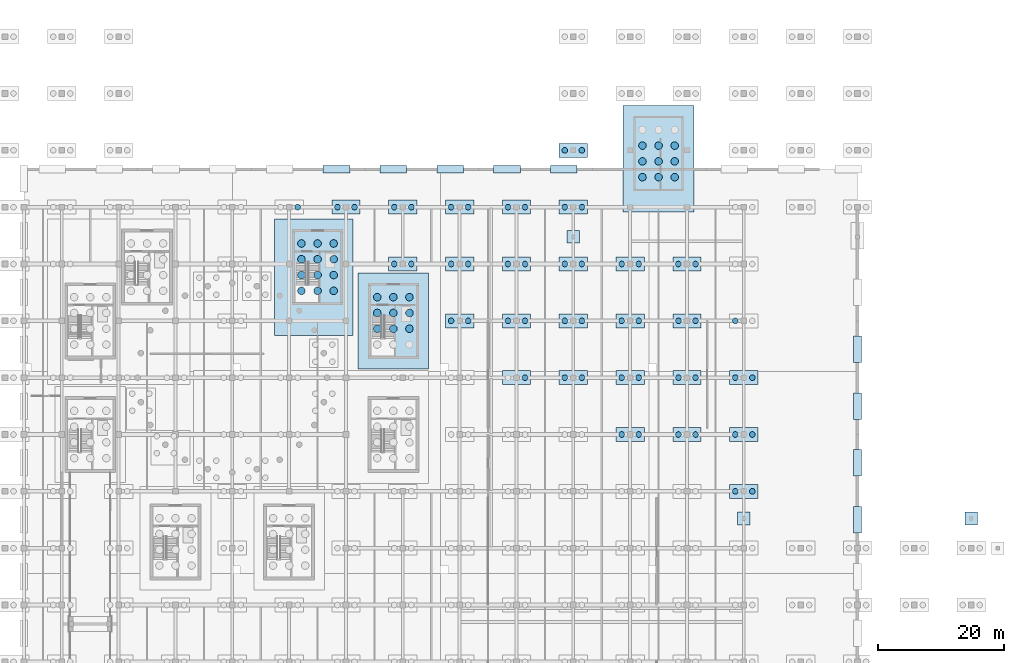
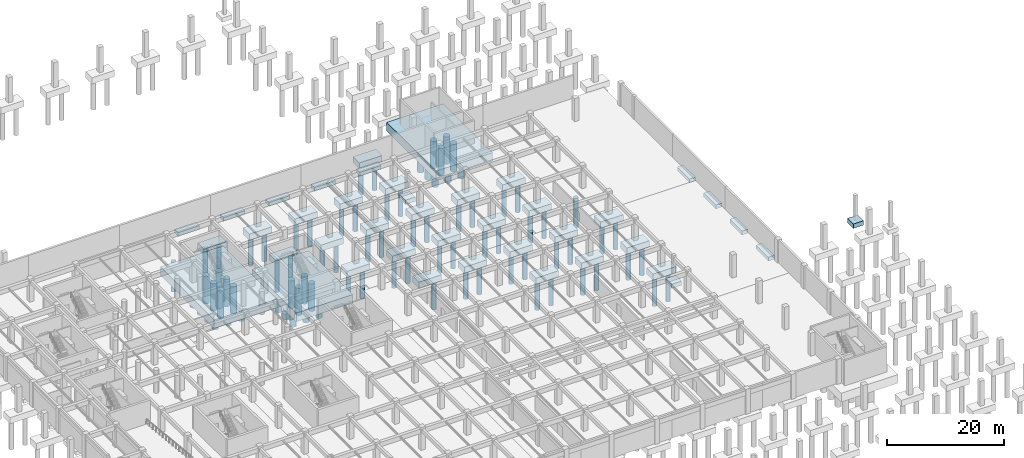
# One storey, part 7 of 27: 83 piles, 41 footings.
"""IFC4 building model written with IfcOpenShell, lengths in metres."""

from ifc_helpers import new_model, si_unit, direction, frame, origin, origin_2d, place, context, subcontext, project, spatial, polyline, circle, outline, extrude, material, layer, layer_set, material_profile, profile_set, type_object, element, save


model = new_model("IFC4")

# Units and contexts
model_context = context("Model", 3, precision=1e-05, world=origin(), true_north=direction((0.0, 1.0)))
body_context = subcontext(model_context, "Body", "Model", "MODEL_VIEW")
ifc_project = project(units=[si_unit("LENGTHUNIT", "METRE"), si_unit("AREAUNIT", "SQUARE_METRE"), si_unit("VOLUMEUNIT", "CUBIC_METRE"), si_unit("PLANEANGLEUNIT", "RADIAN"), si_unit("MASSUNIT", "GRAM", prefix="KILO")], contexts=[model_context])

# Site, building, storey
site_placement = place(None, origin())
site = spatial("IfcSite", under=ifc_project, at=site_placement, CompositionType="ELEMENT")
building_placement = place(site_placement, origin())
building = spatial("IfcBuilding", under=site, at=building_placement, Name="Dornveld Trade and Exhibition Forum", CompositionType="ELEMENT")
storey_placement = place(building_placement, frame((0.0, 0.0, -4.800048828125)))
storey = spatial("IfcBuildingStorey", under=building, at=storey_placement, Name="B1", CompositionType="ELEMENT", Elevation=-4.800048828125)

# Footings
ifc_material_1 = material(Name="Concrete C40/50", Category="concrete")
ifc_layer_1 = layer(ifc_material_1, 1.300048828125)
ifc_layer_set_1 = layer_set([ifc_layer_1], Name="Concrete C40/50")
footing_type_1 = type_object("IfcFootingType", Name="FT-CAP-2P", PredefinedType="PILE_CAP", material=ifc_layer_set_1)
footing_1_placement = place(storey_placement, frame((0.0, 0.0, -1.75)))
element("IfcFooting", 1, at=footing_1_placement, inside=storey, type_object=footing_type_1, Name="Multi-pile cap 165", PredefinedType="PILE_CAP", context=body_context, shape_type="SweptSolid", body=[
    extrude(outline(polyline([(132.75, 106.89990234375), (137.25, 106.89990234375), (137.25, 109.10009765625), (132.75, 109.10009765625), (132.75, 106.89990234375)])), origin(), (0.0, 0.0, 1.0), 1.300048828125),
])
footing_2_placement = place(storey_placement, frame((0.0, 0.0, -1.75)))
element("IfcFooting", 2, at=footing_2_placement, inside=storey, type_object=footing_type_1, Name="Multi-pile cap 174", PredefinedType="PILE_CAP", context=body_context, shape_type="SweptSolid", body=[
    extrude(outline(polyline([(141.75, 97.89990234375), (146.25, 97.89990234375), (146.25, 100.10009765625), (141.75, 100.10009765625), (141.75, 97.89990234375)])), origin(), (0.0, 0.0, 1.0), 1.300048828125),
])
footing_3_placement = place(storey_placement, frame((0.0, 0.0, -1.75)))
element("IfcFooting", 3, at=footing_3_placement, inside=storey, type_object=footing_type_1, Name="Multi-pile cap 175", PredefinedType="PILE_CAP", context=body_context, shape_type="SweptSolid", body=[
    extrude(outline(polyline([(141.75, 106.89990234375), (146.25, 106.89990234375), (146.25, 109.10009765625), (141.75, 109.10009765625), (141.75, 106.89990234375)])), origin(), (0.0, 0.0, 1.0), 1.300048828125),
])
footing_4_placement = place(storey_placement, frame((0.0, 0.0, -1.75)))
element("IfcFooting", 4, at=footing_4_placement, inside=storey, type_object=footing_type_1, Name="Multi-pile cap 187", PredefinedType="PILE_CAP", context=body_context, shape_type="SweptSolid", body=[
    extrude(outline(polyline([(150.75, 88.89990234375), (155.25, 88.89990234375), (155.25, 91.10009765625), (150.75, 91.10009765625), (150.75, 88.89990234375)])), origin(), (0.0, 0.0, 1.0), 1.300048828125),
])
footing_5_placement = place(storey_placement, frame((0.0, 0.0, -1.75)))
element("IfcFooting", 5, at=footing_5_placement, inside=storey, type_object=footing_type_1, Name="Multi-pile cap 188", PredefinedType="PILE_CAP", context=body_context, shape_type="SweptSolid", body=[
    extrude(outline(polyline([(150.75, 97.89990234375), (155.25, 97.89990234375), (155.25, 100.10009765625), (150.75, 100.10009765625), (150.75, 97.89990234375)])), origin(), (0.0, 0.0, 1.0), 1.300048828125),
])
footing_6_placement = place(storey_placement, frame((0.0, 0.0, -1.75)))
element("IfcFooting", 6, at=footing_6_placement, inside=storey, type_object=footing_type_1, Name="Multi-pile cap 189", PredefinedType="PILE_CAP", context=body_context, shape_type="SweptSolid", body=[
    extrude(outline(polyline([(150.75, 106.89990234375), (155.25, 106.89990234375), (155.25, 109.10009765625), (150.75, 109.10009765625), (150.75, 106.89990234375)])), origin(), (0.0, 0.0, 1.0), 1.300048828125),
])
footing_7_placement = place(storey_placement, frame((0.0, 0.0, -1.75)))
element("IfcFooting", 7, at=footing_7_placement, inside=storey, type_object=footing_type_1, Name="Multi-pile cap 200", PredefinedType="PILE_CAP", context=body_context, shape_type="SweptSolid", body=[
    extrude(outline(polyline([(159.75, 79.89990234375), (164.25, 79.89990234375), (164.25, 82.10009765625), (159.75, 82.10009765625), (159.75, 79.89990234375)])), origin(), (0.0, 0.0, 1.0), 1.300048828125),
])
footing_8_placement = place(storey_placement, frame((0.0, 0.0, -1.75)))
element("IfcFooting", 8, at=footing_8_placement, inside=storey, type_object=footing_type_1, Name="Multi-pile cap 201", PredefinedType="PILE_CAP", context=body_context, shape_type="SweptSolid", body=[
    extrude(outline(polyline([(159.75, 88.89990234375), (164.25, 88.89990234375), (164.25, 91.10009765625), (159.75, 91.10009765625), (159.75, 88.89990234375)])), origin(), (0.0, 0.0, 1.0), 1.300048828125),
])
footing_9_placement = place(storey_placement, frame((0.0, 0.0, -1.75)))
element("IfcFooting", 9, at=footing_9_placement, inside=storey, type_object=footing_type_1, Name="Multi-pile cap 202", PredefinedType="PILE_CAP", context=body_context, shape_type="SweptSolid", body=[
    extrude(outline(polyline([(159.75, 97.89990234375), (164.25, 97.89990234375), (164.25, 100.10009765625), (159.75, 100.10009765625), (159.75, 97.89990234375)])), origin(), (0.0, 0.0, 1.0), 1.300048828125),
])
footing_10_placement = place(storey_placement, frame((0.0, 0.0, -1.75)))
element("IfcFooting", 10, at=footing_10_placement, inside=storey, type_object=footing_type_1, Name="Multi-pile cap 203", PredefinedType="PILE_CAP", context=body_context, shape_type="SweptSolid", body=[
    extrude(outline(polyline([(159.75, 106.89990234375), (164.25, 106.89990234375), (164.25, 109.10009765625), (159.75, 109.10009765625), (159.75, 106.89990234375)])), origin(), (0.0, 0.0, 1.0), 1.300048828125),
])
footing_11_placement = place(storey_placement, frame((0.0, 0.0, -1.75)))
element("IfcFooting", 11, at=footing_11_placement, inside=storey, type_object=footing_type_1, Name="Multi-pile cap 214", PredefinedType="PILE_CAP", context=body_context, shape_type="SweptSolid", body=[
    extrude(outline(polyline([(168.75, 79.89990234375), (173.25, 79.89990234375), (173.25, 82.10009765625), (168.75, 82.10009765625), (168.75, 79.89990234375)])), origin(), (0.0, 0.0, 1.0), 1.300048828125),
])
footing_12_placement = place(storey_placement, frame((0.0, 0.0, -1.75)))
element("IfcFooting", 12, at=footing_12_placement, inside=storey, type_object=footing_type_1, Name="Multi-pile cap 215", PredefinedType="PILE_CAP", context=body_context, shape_type="SweptSolid", body=[
    extrude(outline(polyline([(168.75, 88.89990234375), (173.25, 88.89990234375), (173.25, 91.10009765625), (168.75, 91.10009765625), (168.75, 88.89990234375)])), origin(), (0.0, 0.0, 1.0), 1.300048828125),
])
footing_13_placement = place(storey_placement, frame((0.0, 0.0, -1.75)))
element("IfcFooting", 13, at=footing_13_placement, inside=storey, type_object=footing_type_1, Name="Multi-pile cap 216", PredefinedType="PILE_CAP", context=body_context, shape_type="SweptSolid", body=[
    extrude(outline(polyline([(168.75, 97.89990234375), (173.25, 97.89990234375), (173.25, 100.10009765625), (168.75, 100.10009765625), (168.75, 97.89990234375)])), origin(), (0.0, 0.0, 1.0), 1.300048828125),
])
footing_14_placement = place(storey_placement, frame((0.0, 0.0, -1.75)))
element("IfcFooting", 14, at=footing_14_placement, inside=storey, type_object=footing_type_1, Name="Multi-pile cap 217", PredefinedType="PILE_CAP", context=body_context, shape_type="SweptSolid", body=[
    extrude(outline(polyline([(168.75, 106.89990234375), (173.25, 106.89990234375), (173.25, 109.10009765625), (168.75, 109.10009765625), (168.75, 106.89990234375)])), origin(), (0.0, 0.0, 1.0), 1.300048828125),
])
footing_15_placement = place(storey_placement, frame((0.0, 0.0, -1.75)))
element("IfcFooting", 15, at=footing_15_placement, inside=storey, type_object=footing_type_1, Name="Multi-pile cap 218", PredefinedType="PILE_CAP", context=body_context, shape_type="SweptSolid", body=[
    extrude(outline(polyline([(168.75, 115.89990234375), (173.25, 115.89990234375), (173.25, 118.10009765625), (168.75, 118.10009765625), (168.75, 115.89990234375)])), origin(), (0.0, 0.0, 1.0), 1.300048828125),
])
footing_16_placement = place(storey_placement, frame((0.0, 0.0, -1.75)))
element("IfcFooting", 16, at=footing_16_placement, inside=storey, type_object=footing_type_1, Name="Multi-pile cap 232", PredefinedType="PILE_CAP", context=body_context, shape_type="SweptSolid", body=[
    extrude(outline(polyline([(177.75, 70.89990234375), (182.25, 70.89990234375), (182.25, 73.10009765625), (177.75, 73.10009765625), (177.75, 70.89990234375)])), origin(), (0.0, 0.0, 1.0), 1.300048828125),
])
footing_17_placement = place(storey_placement, frame((0.0, 0.0, -1.75)))
element("IfcFooting", 17, at=footing_17_placement, inside=storey, type_object=footing_type_1, Name="Multi-pile cap 233", PredefinedType="PILE_CAP", context=body_context, shape_type="SweptSolid", body=[
    extrude(outline(polyline([(177.75, 79.89990234375), (182.25, 79.89990234375), (182.25, 82.10009765625), (177.75, 82.10009765625), (177.75, 79.89990234375)])), origin(), (0.0, 0.0, 1.0), 1.300048828125),
])
footing_18_placement = place(storey_placement, frame((0.0, 0.0, -1.75)))
element("IfcFooting", 18, at=footing_18_placement, inside=storey, type_object=footing_type_1, Name="Multi-pile cap 234", PredefinedType="PILE_CAP", context=body_context, shape_type="SweptSolid", body=[
    extrude(outline(polyline([(177.75, 88.89990234375), (182.25, 88.89990234375), (182.25, 91.10009765625), (177.75, 91.10009765625), (177.75, 88.89990234375)])), origin(), (0.0, 0.0, 1.0), 1.300048828125),
])
footing_19_placement = place(storey_placement, frame((0.0, 0.0, -1.75)))
element("IfcFooting", 19, at=footing_19_placement, inside=storey, type_object=footing_type_1, Name="Multi-pile cap 235", PredefinedType="PILE_CAP", context=body_context, shape_type="SweptSolid", body=[
    extrude(outline(polyline([(177.75, 97.89990234375), (182.25, 97.89990234375), (182.25, 100.10009765625), (177.75, 100.10009765625), (177.75, 97.89990234375)])), origin(), (0.0, 0.0, 1.0), 1.300048828125),
])
footing_20_placement = place(storey_placement, frame((0.0, 0.0, -1.75)))
element("IfcFooting", 20, at=footing_20_placement, inside=storey, type_object=footing_type_1, Name="Multi-pile cap 247", PredefinedType="PILE_CAP", context=body_context, shape_type="SweptSolid", body=[
    extrude(outline(polyline([(186.75, 70.89990234375), (191.25, 70.89990234375), (191.25, 73.10009765625), (186.75, 73.10009765625), (186.75, 70.89990234375)])), origin(), (0.0, 0.0, 1.0), 1.300048828125),
])
footing_21_placement = place(storey_placement, frame((0.0, 0.0, -1.75)))
element("IfcFooting", 21, at=footing_21_placement, inside=storey, type_object=footing_type_1, Name="Multi-pile cap 248", PredefinedType="PILE_CAP", context=body_context, shape_type="SweptSolid", body=[
    extrude(outline(polyline([(186.75, 79.89990234375), (191.25, 79.89990234375), (191.25, 82.10009765625), (186.75, 82.10009765625), (186.75, 79.89990234375)])), origin(), (0.0, 0.0, 1.0), 1.300048828125),
])
footing_22_placement = place(storey_placement, frame((0.0, 0.0, -1.75)))
element("IfcFooting", 22, at=footing_22_placement, inside=storey, type_object=footing_type_1, Name="Multi-pile cap 249", PredefinedType="PILE_CAP", context=body_context, shape_type="SweptSolid", body=[
    extrude(outline(polyline([(186.75, 88.89990234375), (191.25, 88.89990234375), (191.25, 91.10009765625), (186.75, 91.10009765625), (186.75, 88.89990234375)])), origin(), (0.0, 0.0, 1.0), 1.300048828125),
])
footing_23_placement = place(storey_placement, frame((0.0, 0.0, -1.75)))
element("IfcFooting", 23, at=footing_23_placement, inside=storey, type_object=footing_type_1, Name="Multi-pile cap 250", PredefinedType="PILE_CAP", context=body_context, shape_type="SweptSolid", body=[
    extrude(outline(polyline([(186.75, 97.89990234375), (191.25, 97.89990234375), (191.25, 100.10009765625), (186.75, 100.10009765625), (186.75, 97.89990234375)])), origin(), (0.0, 0.0, 1.0), 1.300048828125),
])
footing_24_placement = place(storey_placement, frame((0.0, 0.0, -1.75)))
element("IfcFooting", 24, at=footing_24_placement, inside=storey, type_object=footing_type_1, Name="Multi-pile cap 261", PredefinedType="PILE_CAP", context=body_context, shape_type="SweptSolid", body=[
    extrude(outline(polyline([(195.75, 61.89990234375), (200.25, 61.89990234375), (200.25, 64.10009765625), (195.75, 64.10009765625), (195.75, 61.89990234375)])), origin(), (0.0, 0.0, 1.0), 1.300048828125),
])
footing_25_placement = place(storey_placement, frame((0.0, 0.0, -1.75)))
element("IfcFooting", 25, at=footing_25_placement, inside=storey, type_object=footing_type_1, Name="Multi-pile cap 262", PredefinedType="PILE_CAP", context=body_context, shape_type="SweptSolid", body=[
    extrude(outline(polyline([(195.75, 70.89990234375), (200.25, 70.89990234375), (200.25, 73.10009765625), (195.75, 73.10009765625), (195.75, 70.89990234375)])), origin(), (0.0, 0.0, 1.0), 1.300048828125),
])
footing_26_placement = place(storey_placement, frame((0.0, 0.0, -1.75)))
element("IfcFooting", 26, at=footing_26_placement, inside=storey, type_object=footing_type_1, Name="Multi-pile cap 263", PredefinedType="PILE_CAP", context=body_context, shape_type="SweptSolid", body=[
    extrude(outline(polyline([(195.75, 79.89990234375), (200.25, 79.89990234375), (200.25, 82.10009765625), (195.75, 82.10009765625), (195.75, 79.89990234375)])), origin(), (0.0, 0.0, 1.0), 1.300048828125),
])
ifc_material_2 = material(Name="Concrete C40/50", Category="concrete")
ifc_layer_2 = layer(ifc_material_2, 0.89990234375)
ifc_layer_set_2 = layer_set([ifc_layer_2], Name="Concrete C40/50")
footing_type_2 = type_object("IfcFootingType", Name="FT-PAD-CAN", PredefinedType="PAD_FOOTING", material=ifc_layer_set_2)
footing_27_placement = place(storey_placement, frame((0.0, 0.0, -1.349853515625)))
element("IfcFooting", 27, at=footing_27_placement, inside=storey, type_object=footing_type_2, Name="Paving edge pad footing 11", PredefinedType="PAD_FOOTING", context=body_context, shape_type="SweptSolid", body=[
    extrude(outline(polyline([(197.0, 57.699951171875), (199.0, 57.699951171875), (199.0, 59.699951171875), (197.0, 59.699951171875), (197.0, 57.699951171875)])), origin(), (0.0, 0.0, 1.0), 0.89990234375),
])
footing_28_placement = place(storey_placement, frame((0.0, 0.0, -1.349853515625)))
element("IfcFooting", 28, at=footing_28_placement, inside=storey, type_object=footing_type_2, Name="Paving edge pad footing 12", PredefinedType="PAD_FOOTING", context=body_context, shape_type="SweptSolid", body=[
    extrude(outline(polyline([(233.0, 57.699951171875), (235.0, 57.699951171875), (235.0, 59.699951171875), (233.0, 59.699951171875), (233.0, 57.699951171875)])), origin(), (0.0, 0.0, 1.0), 0.89990234375),
])
footing_29_placement = place(storey_placement, frame((0.0, 0.0, -1.349853515625)))
element("IfcFooting", 29, at=footing_29_placement, inside=storey, type_object=footing_type_2, Name="Paving edge pad footing 13", PredefinedType="PAD_FOOTING", context=body_context, shape_type="SweptSolid", body=[
    extrude(outline(polyline([(170.0, 102.300048828125), (172.0, 102.300048828125), (172.0, 104.300048828125), (170.0, 104.300048828125), (170.0, 102.300048828125)])), origin(), (0.0, 0.0, 1.0), 0.89990234375),
])
ifc_material_3 = material(Name="Concrete C40/50", Category="concrete")
ifc_layer_3 = layer(ifc_material_3, 1.800048828125)
ifc_layer_set_3 = layer_set([ifc_layer_3], Name="Concrete C40/50")
footing_type_3 = type_object("IfcFootingType", Name="FT-RAFT-CORE", PredefinedType="PILE_CAP", material=ifc_layer_set_3)
footing_30_placement = place(storey_placement, frame((0.0, 0.0, -2.25)))
element("IfcFooting", 30, at=footing_30_placement, inside=storey, type_object=footing_type_3, Name="CORE-01 piled foundation raft", PredefinedType="PILE_CAP", context=body_context, shape_type="SweptSolid", body=[
    extrude(outline(polyline([(136.89990234375, 82.39990234375), (148.10009765625, 82.39990234375), (148.10009765625, 97.60009765625), (136.89990234375, 97.60009765625), (136.89990234375, 82.39990234375)])), origin(), (0.0, 0.0, 1.0), 1.800048828125),
])
footing_31_placement = place(storey_placement, frame((0.0, 0.0, -2.25)))
element("IfcFooting", 31, at=footing_31_placement, inside=storey, type_object=footing_type_3, Name="CORE-02 piled foundation raft", PredefinedType="PILE_CAP", context=body_context, shape_type="SweptSolid", body=[
    extrude(outline(polyline([(123.699951171875, 87.699951171875), (136.10009765625, 87.699951171875), (136.10009765625, 106.10009765625), (123.699951171875, 106.10009765625), (123.699951171875, 87.699951171875)])), origin(), (0.0, 0.0, 1.0), 1.800048828125),
])
footing_32_placement = place(storey_placement, frame((0.0, 0.0, -2.25)))
element("IfcFooting", 32, at=footing_32_placement, inside=storey, type_object=footing_type_3, Name="CORE-12 piled foundation raft", PredefinedType="PILE_CAP", context=body_context, shape_type="SweptSolid", body=[
    extrude(outline(polyline([(178.89990234375, 107.199951171875), (190.10009765625, 107.199951171875), (190.10009765625, 124.10009765625), (178.89990234375, 124.10009765625), (178.89990234375, 107.199951171875)])), origin(), (0.0, 0.0, 1.0), 1.800048828125),
])
ifc_material_4 = material(Name="Concrete C40/50", Category="concrete")
ifc_layer_4 = layer(ifc_material_4, 0.800048828125)
ifc_layer_set_4 = layer_set([ifc_layer_4], Name="Concrete C40/50")
footing_type_4 = type_object("IfcFootingType", Name="FT-STRIP-900", PredefinedType="STRIP_FOOTING", material=ifc_layer_set_4)
footing_33_placement = place(storey_placement, frame((0.0, 0.0, -1.25)))
element("IfcFooting", 33, at=footing_33_placement, inside=storey, type_object=footing_type_4, Name="Basement perimeter strip footing 6", PredefinedType="STRIP_FOOTING", context=body_context, shape_type="SweptSolid", body=[
    extrude(outline(polyline([(131.39990234375, 113.39990234375), (135.60009765625, 113.39990234375), (135.60009765625, 114.60009765625), (131.39990234375, 114.60009765625), (131.39990234375, 113.39990234375)])), origin(), (0.0, 0.0, 1.0), 0.800048828125),
])
footing_34_placement = place(storey_placement, frame((0.0, 0.0, -1.25)))
element("IfcFooting", 34, at=footing_34_placement, inside=storey, type_object=footing_type_4, Name="Basement perimeter strip footing 7", PredefinedType="STRIP_FOOTING", context=body_context, shape_type="SweptSolid", body=[
    extrude(outline(polyline([(140.39990234375, 113.39990234375), (144.60009765625, 113.39990234375), (144.60009765625, 114.60009765625), (140.39990234375, 114.60009765625), (140.39990234375, 113.39990234375)])), origin(), (0.0, 0.0, 1.0), 0.800048828125),
])
footing_35_placement = place(storey_placement, frame((0.0, 0.0, -1.25)))
element("IfcFooting", 35, at=footing_35_placement, inside=storey, type_object=footing_type_4, Name="Basement perimeter strip footing 8", PredefinedType="STRIP_FOOTING", context=body_context, shape_type="SweptSolid", body=[
    extrude(outline(polyline([(149.39990234375, 113.39990234375), (153.60009765625, 113.39990234375), (153.60009765625, 114.60009765625), (149.39990234375, 114.60009765625), (149.39990234375, 113.39990234375)])), origin(), (0.0, 0.0, 1.0), 0.800048828125),
])
footing_36_placement = place(storey_placement, frame((0.0, 0.0, -1.25)))
element("IfcFooting", 36, at=footing_36_placement, inside=storey, type_object=footing_type_4, Name="Basement perimeter strip footing 9", PredefinedType="STRIP_FOOTING", context=body_context, shape_type="SweptSolid", body=[
    extrude(outline(polyline([(158.39990234375, 113.39990234375), (162.60009765625, 113.39990234375), (162.60009765625, 114.60009765625), (158.39990234375, 114.60009765625), (158.39990234375, 113.39990234375)])), origin(), (0.0, 0.0, 1.0), 0.800048828125),
])
footing_37_placement = place(storey_placement, frame((0.0, 0.0, -1.25)))
element("IfcFooting", 37, at=footing_37_placement, inside=storey, type_object=footing_type_4, Name="Basement perimeter strip footing 10", PredefinedType="STRIP_FOOTING", context=body_context, shape_type="SweptSolid", body=[
    extrude(outline(polyline([(167.39990234375, 113.39990234375), (171.60009765625, 113.39990234375), (171.60009765625, 114.60009765625), (167.39990234375, 114.60009765625), (167.39990234375, 113.39990234375)])), origin(), (0.0, 0.0, 1.0), 0.800048828125),
])
footing_38_placement = place(storey_placement, frame((0.0, 0.0, -1.25)))
element("IfcFooting", 38, at=footing_38_placement, inside=storey, type_object=footing_type_4, Name="Basement perimeter strip footing 27", PredefinedType="STRIP_FOOTING", context=body_context, shape_type="SweptSolid", body=[
    extrude(outline(polyline([(215.39990234375, 56.39990234375), (216.60009765625, 56.39990234375), (216.60009765625, 60.60009765625), (215.39990234375, 60.60009765625), (215.39990234375, 56.39990234375)])), origin(), (0.0, 0.0, 1.0), 0.800048828125),
])
footing_39_placement = place(storey_placement, frame((0.0, 0.0, -1.25)))
element("IfcFooting", 39, at=footing_39_placement, inside=storey, type_object=footing_type_4, Name="Basement perimeter strip footing 28", PredefinedType="STRIP_FOOTING", context=body_context, shape_type="SweptSolid", body=[
    extrude(outline(polyline([(215.39990234375, 65.39990234375), (216.60009765625, 65.39990234375), (216.60009765625, 69.60009765625), (215.39990234375, 69.60009765625), (215.39990234375, 65.39990234375)])), origin(), (0.0, 0.0, 1.0), 0.800048828125),
])
footing_40_placement = place(storey_placement, frame((0.0, 0.0, -1.25)))
element("IfcFooting", 40, at=footing_40_placement, inside=storey, type_object=footing_type_4, Name="Basement perimeter strip footing 29", PredefinedType="STRIP_FOOTING", context=body_context, shape_type="SweptSolid", body=[
    extrude(outline(polyline([(215.39990234375, 74.39990234375), (216.60009765625, 74.39990234375), (216.60009765625, 78.60009765625), (215.39990234375, 78.60009765625), (215.39990234375, 74.39990234375)])), origin(), (0.0, 0.0, 1.0), 0.800048828125),
])
footing_41_placement = place(storey_placement, frame((0.0, 0.0, -1.25)))
element("IfcFooting", 41, at=footing_41_placement, inside=storey, type_object=footing_type_4, Name="Basement perimeter strip footing 30", PredefinedType="STRIP_FOOTING", context=body_context, shape_type="SweptSolid", body=[
    extrude(outline(polyline([(215.39990234375, 83.39990234375), (216.60009765625, 83.39990234375), (216.60009765625, 87.60009765625), (215.39990234375, 87.60009765625), (215.39990234375, 83.39990234375)])), origin(), (0.0, 0.0, 1.0), 0.800048828125),
])

# Piles
ifc_material_5 = material(Name="Concrete C40/50", Category="concrete")
ifc_material_profile_1 = material_profile(ifc_material_5, circle(Radius=0.60009765625, at=origin_2d()), Name="PILE D1200")
ifc_profile_set_1 = profile_set([ifc_material_profile_1], Name="Concrete C40/50")
pile_type_1 = type_object("IfcPileType", Name="PILE-B1200", PredefinedType="BORED", material=ifc_profile_set_1)
for number, where, z_axis, x_axis, name in (
    (42, (139.949951171875, 88.75, -2.14990234375), (0.0, 0.0, -1.0), (1.0, 0.0, 0.0), "CORE-01 rock-socketed bored pile 2"),
    (43, (139.949951171875, 91.25, -2.14990234375), (0.0, 0.0, -1.0), (1.0, 0.0, 0.0), "CORE-01 rock-socketed bored pile 3"),
    (44, (139.949951171875, 93.75, -2.14990234375), (0.0, 0.0, -1.0), (1.0, 0.0, 0.0), "CORE-01 rock-socketed bored pile 4"),
    (45, (142.5, 88.75, -2.14990234375), (0.0, 0.0, -1.0), (1.0, 0.0, 0.0), "CORE-01 rock-socketed bored pile 6"),
    (46, (142.5, 91.25, -2.14990234375), (0.0, 0.0, -1.0), (1.0, 0.0, 0.0), "CORE-01 rock-socketed bored pile 7"),
    (47, (142.5, 93.75, -2.14990234375), (0.0, 0.0, -1.0), (1.0, 0.0, 0.0), "CORE-01 rock-socketed bored pile 8"),
    (48, (145.050048828125, 88.75, -2.14990234375), (0.0, 0.0, -1.0), (1.0, 0.0, 0.0), "CORE-01 rock-socketed bored pile 10"),
    (49, (145.050048828125, 91.25, -2.14990234375), (0.0, 0.0, -1.0), (1.0, 0.0, 0.0), "CORE-01 rock-socketed bored pile 11"),
    (50, (145.050048828125, 93.75, -2.14990234375), (0.0, 0.0, -1.0), (1.0, 0.0, 0.0), "CORE-01 rock-socketed bored pile 12"),
    (51, (127.949951171875, 94.75, -2.14990234375), (0.0, 0.0, -1.0), (1.0, 0.0, 0.0), "CORE-02 rock-socketed bored pile 1"),
    (52, (127.949951171875, 97.25, -2.14990234375), (0.0, 0.0, -1.0), (1.0, 0.0, 0.0), "CORE-02 rock-socketed bored pile 2"),
    (53, (127.949951171875, 99.75, -2.14990234375), (0.0, 0.0, -1.0), (1.0, 0.0, 0.0), "CORE-02 rock-socketed bored pile 3"),
    (54, (127.949951171875, 102.25, -2.14990234375), (0.0, 0.0, -1.0), (1.0, 0.0, 0.0), "CORE-02 rock-socketed bored pile 4"),
    (55, (130.5, 94.75, -2.14990234375), (0.0, 0.0, -1.0), (1.0, 0.0, 0.0), "CORE-02 rock-socketed bored pile 5"),
    (56, (130.5, 97.25, -2.14990234375), (0.0, 0.0, -1.0), (1.0, 0.0, 0.0), "CORE-02 rock-socketed bored pile 6"),
    (57, (130.5, 99.75, -2.14990234375), (0.0, 0.0, -1.0), (1.0, 0.0, 0.0), "CORE-02 rock-socketed bored pile 7"),
    (58, (130.5, 102.25, -2.14990234375), (0.0, 0.0, -1.0), (1.0, 0.0, 0.0), "CORE-02 rock-socketed bored pile 8"),
    (59, (133.050048828125, 94.75, -2.14990234375), (0.0, 0.0, -1.0), (1.0, 0.0, 0.0), "CORE-02 rock-socketed bored pile 9"),
    (60, (133.050048828125, 97.25, -2.14990234375), (0.0, 0.0, -1.0), (1.0, 0.0, 0.0), "CORE-02 rock-socketed bored pile 10"),
    (61, (133.050048828125, 99.75, -2.14990234375), (0.0, 0.0, -1.0), (1.0, 0.0, 0.0), "CORE-02 rock-socketed bored pile 11"),
    (62, (133.050048828125, 102.25, -2.14990234375), (0.0, 0.0, -1.0), (1.0, 0.0, 0.0), "CORE-02 rock-socketed bored pile 12"),
    (63, (181.949951171875, 112.75, -2.14990234375), (0.0, 0.0, -1.0), (1.0, 0.0, 0.0), "CORE-12 rock-socketed bored pile 1"),
    (64, (181.949951171875, 115.25, -2.14990234375), (0.0, 0.0, -1.0), (1.0, 0.0, 0.0), "CORE-12 rock-socketed bored pile 2"),
    (65, (181.949951171875, 117.75, -2.14990234375), (0.0, 0.0, -1.0), (1.0, 0.0, 0.0), "CORE-12 rock-socketed bored pile 3"),
    (66, (184.5, 112.75, -2.14990234375), (0.0, 0.0, -1.0), (1.0, 0.0, 0.0), "CORE-12 rock-socketed bored pile 5"),
    (67, (184.5, 115.25, -2.14990234375), (0.0, 0.0, -1.0), (1.0, 0.0, 0.0), "CORE-12 rock-socketed bored pile 6"),
    (68, (184.5, 117.75, -2.14990234375), (0.0, 0.0, -1.0), (1.0, 0.0, 0.0), "CORE-12 rock-socketed bored pile 7"),
    (69, (187.050048828125, 112.75, -2.14990234375), (0.0, 0.0, -1.0), (1.0, 0.0, 0.0), "CORE-12 rock-socketed bored pile 9"),
    (70, (187.050048828125, 115.25, -2.14990234375), (0.0, 0.0, -1.0), (1.0, 0.0, 0.0), "CORE-12 rock-socketed bored pile 10"),
    (71, (187.050048828125, 117.75, -2.14990234375), (0.0, 0.0, -1.0), (1.0, 0.0, 0.0), "CORE-12 rock-socketed bored pile 11"),
):
    element("IfcPile", number, at=place(storey_placement, frame(where, z_axis=z_axis, x_axis=x_axis)), inside=storey, type_object=pile_type_1, Name=name, PredefinedType="BORED", context=body_context, shape_type="SweptSolid", body=[
        extrude(circle(Radius=0.60009765625, at=origin_2d()), origin(), (0.0, 0.0, 1.0), 5.75),
    ])
ifc_material_6 = material(Name="Concrete C40/50", Category="concrete")
ifc_material_profile_2 = material_profile(ifc_material_6, circle(Radius=0.449951171875, at=origin_2d()), Name="PILE D900")
ifc_profile_set_2 = profile_set([ifc_material_profile_2], Name="Concrete C40/50")
pile_type_2 = type_object("IfcPileType", Name="PILE-B900", PredefinedType="BORED", material=ifc_profile_set_2)
for number, where, z_axis, x_axis, name in (
    (72, (127.35009765625, 108.0, -1.64990234375), (0.0, 0.0, -1.0), (1.0, 0.0, 0.0), "Cap 155 rock-socketed pile 2"),
    (73, (133.64990234375, 108.0, -1.64990234375), (0.0, 0.0, -1.0), (1.0, 0.0, 0.0), "Cap 165 rock-socketed pile 1"),
    (74, (136.35009765625, 108.0, -1.64990234375), (0.0, 0.0, -1.0), (1.0, 0.0, 0.0), "Cap 165 rock-socketed pile 2"),
    (75, (142.64990234375, 99.0, -1.64990234375), (0.0, 0.0, -1.0), (1.0, 0.0, 0.0), "Cap 174 rock-socketed pile 1"),
    (76, (145.35009765625, 99.0, -1.64990234375), (0.0, 0.0, -1.0), (1.0, 0.0, 0.0), "Cap 174 rock-socketed pile 2"),
    (77, (142.64990234375, 108.0, -1.64990234375), (0.0, 0.0, -1.0), (1.0, 0.0, 0.0), "Cap 175 rock-socketed pile 1"),
    (78, (145.35009765625, 108.0, -1.64990234375), (0.0, 0.0, -1.0), (1.0, 0.0, 0.0), "Cap 175 rock-socketed pile 2"),
    (79, (151.64990234375, 90.0, -1.64990234375), (0.0, 0.0, -1.0), (1.0, 0.0, 0.0), "Cap 187 rock-socketed pile 1"),
    (80, (154.35009765625, 90.0, -1.64990234375), (0.0, 0.0, -1.0), (1.0, 0.0, 0.0), "Cap 187 rock-socketed pile 2"),
    (81, (151.64990234375, 99.0, -1.64990234375), (0.0, 0.0, -1.0), (1.0, 0.0, 0.0), "Cap 188 rock-socketed pile 1"),
    (82, (154.35009765625, 99.0, -1.64990234375), (0.0, 0.0, -1.0), (1.0, 0.0, 0.0), "Cap 188 rock-socketed pile 2"),
    (83, (151.64990234375, 108.0, -1.64990234375), (0.0, 0.0, -1.0), (1.0, 0.0, 0.0), "Cap 189 rock-socketed pile 1"),
    (84, (154.35009765625, 108.0, -1.64990234375), (0.0, 0.0, -1.0), (1.0, 0.0, 0.0), "Cap 189 rock-socketed pile 2"),
    (85, (163.35009765625, 81.0, -1.64990234375), (0.0, 0.0, -1.0), (1.0, 0.0, 0.0), "Cap 200 rock-socketed pile 2"),
    (86, (160.64990234375, 90.0, -1.64990234375), (0.0, 0.0, -1.0), (1.0, 0.0, 0.0), "Cap 201 rock-socketed pile 1"),
    (87, (163.35009765625, 90.0, -1.64990234375), (0.0, 0.0, -1.0), (1.0, 0.0, 0.0), "Cap 201 rock-socketed pile 2"),
    (88, (160.64990234375, 99.0, -1.64990234375), (0.0, 0.0, -1.0), (1.0, 0.0, 0.0), "Cap 202 rock-socketed pile 1"),
    (89, (163.35009765625, 99.0, -1.64990234375), (0.0, 0.0, -1.0), (1.0, 0.0, 0.0), "Cap 202 rock-socketed pile 2"),
    (90, (160.64990234375, 108.0, -1.64990234375), (0.0, 0.0, -1.0), (1.0, 0.0, 0.0), "Cap 203 rock-socketed pile 1"),
    (91, (163.35009765625, 108.0, -1.64990234375), (0.0, 0.0, -1.0), (1.0, 0.0, 0.0), "Cap 203 rock-socketed pile 2"),
    (92, (169.64990234375, 81.0, -1.64990234375), (0.0, 0.0, -1.0), (1.0, 0.0, 0.0), "Cap 214 rock-socketed pile 1"),
    (93, (172.35009765625, 81.0, -1.64990234375), (0.0, 0.0, -1.0), (1.0, 0.0, 0.0), "Cap 214 rock-socketed pile 2"),
    (94, (169.64990234375, 90.0, -1.64990234375), (0.0, 0.0, -1.0), (1.0, 0.0, 0.0), "Cap 215 rock-socketed pile 1"),
    (95, (172.35009765625, 90.0, -1.64990234375), (0.0, 0.0, -1.0), (1.0, 0.0, 0.0), "Cap 215 rock-socketed pile 2"),
    (96, (169.64990234375, 99.0, -1.64990234375), (0.0, 0.0, -1.0), (1.0, 0.0, 0.0), "Cap 216 rock-socketed pile 1"),
    (97, (172.35009765625, 99.0, -1.64990234375), (0.0, 0.0, -1.0), (1.0, 0.0, 0.0), "Cap 216 rock-socketed pile 2"),
    (98, (169.64990234375, 108.0, -1.64990234375), (0.0, 0.0, -1.0), (1.0, 0.0, 0.0), "Cap 217 rock-socketed pile 1"),
    (99, (172.35009765625, 108.0, -1.64990234375), (0.0, 0.0, -1.0), (1.0, 0.0, 0.0), "Cap 217 rock-socketed pile 2"),
    (100, (169.64990234375, 117.0, -1.64990234375), (0.0, 0.0, -1.0), (1.0, 0.0, 0.0), "Cap 218 rock-socketed pile 1"),
    (101, (172.35009765625, 117.0, -1.64990234375), (0.0, 0.0, -1.0), (1.0, 0.0, 0.0), "Cap 218 rock-socketed pile 2"),
    (102, (178.64990234375, 72.0, -1.64990234375), (0.0, 0.0, -1.0), (1.0, 0.0, 0.0), "Cap 232 rock-socketed pile 1"),
    (103, (181.35009765625, 72.0, -1.64990234375), (0.0, 0.0, -1.0), (1.0, 0.0, 0.0), "Cap 232 rock-socketed pile 2"),
    (104, (178.64990234375, 81.0, -1.64990234375), (0.0, 0.0, -1.0), (1.0, 0.0, 0.0), "Cap 233 rock-socketed pile 1"),
    (105, (181.35009765625, 81.0, -1.64990234375), (0.0, 0.0, -1.0), (1.0, 0.0, 0.0), "Cap 233 rock-socketed pile 2"),
    (106, (178.64990234375, 90.0, -1.64990234375), (0.0, 0.0, -1.0), (1.0, 0.0, 0.0), "Cap 234 rock-socketed pile 1"),
    (107, (181.35009765625, 90.0, -1.64990234375), (0.0, 0.0, -1.0), (1.0, 0.0, 0.0), "Cap 234 rock-socketed pile 2"),
    (108, (178.64990234375, 99.0, -1.64990234375), (0.0, 0.0, -1.0), (1.0, 0.0, 0.0), "Cap 235 rock-socketed pile 1"),
    (109, (181.35009765625, 99.0, -1.64990234375), (0.0, 0.0, -1.0), (1.0, 0.0, 0.0), "Cap 235 rock-socketed pile 2"),
    (110, (187.64990234375, 72.0, -1.64990234375), (0.0, 0.0, -1.0), (1.0, 0.0, 0.0), "Cap 247 rock-socketed pile 1"),
    (111, (190.35009765625, 72.0, -1.64990234375), (0.0, 0.0, -1.0), (1.0, 0.0, 0.0), "Cap 247 rock-socketed pile 2"),
    (112, (187.64990234375, 81.0, -1.64990234375), (0.0, 0.0, -1.0), (1.0, 0.0, 0.0), "Cap 248 rock-socketed pile 1"),
    (113, (190.35009765625, 81.0, -1.64990234375), (0.0, 0.0, -1.0), (1.0, 0.0, 0.0), "Cap 248 rock-socketed pile 2"),
    (114, (187.64990234375, 90.0, -1.64990234375), (0.0, 0.0, -1.0), (1.0, 0.0, 0.0), "Cap 249 rock-socketed pile 1"),
    (115, (190.35009765625, 90.0, -1.64990234375), (0.0, 0.0, -1.0), (1.0, 0.0, 0.0), "Cap 249 rock-socketed pile 2"),
    (116, (187.64990234375, 99.0, -1.64990234375), (0.0, 0.0, -1.0), (1.0, 0.0, 0.0), "Cap 250 rock-socketed pile 1"),
    (117, (190.35009765625, 99.0, -1.64990234375), (0.0, 0.0, -1.0), (1.0, 0.0, 0.0), "Cap 250 rock-socketed pile 2"),
    (118, (196.64990234375, 63.0, -1.64990234375), (0.0, 0.0, -1.0), (1.0, 0.0, 0.0), "Cap 261 rock-socketed pile 1"),
    (119, (199.35009765625, 63.0, -1.64990234375), (0.0, 0.0, -1.0), (1.0, 0.0, 0.0), "Cap 261 rock-socketed pile 2"),
    (120, (196.64990234375, 72.0, -1.64990234375), (0.0, 0.0, -1.0), (1.0, 0.0, 0.0), "Cap 262 rock-socketed pile 1"),
    (121, (199.35009765625, 72.0, -1.64990234375), (0.0, 0.0, -1.0), (1.0, 0.0, 0.0), "Cap 262 rock-socketed pile 2"),
    (122, (196.64990234375, 81.0, -1.64990234375), (0.0, 0.0, -1.0), (1.0, 0.0, 0.0), "Cap 263 rock-socketed pile 1"),
    (123, (199.35009765625, 81.0, -1.64990234375), (0.0, 0.0, -1.0), (1.0, 0.0, 0.0), "Cap 263 rock-socketed pile 2"),
    (124, (196.64990234375, 90.0, -1.64990234375), (0.0, 0.0, -1.0), (1.0, 0.0, 0.0), "Cap 264 rock-socketed pile 1"),
):
    element("IfcPile", number, at=place(storey_placement, frame(where, z_axis=z_axis, x_axis=x_axis)), inside=storey, type_object=pile_type_2, Name=name, PredefinedType="BORED", context=body_context, shape_type="SweptSolid", body=[
        extrude(circle(Radius=0.449951171875, at=origin_2d()), origin(), (0.0, 0.0, 1.0), 6.25),
    ])

save(model, "model.ifc")
